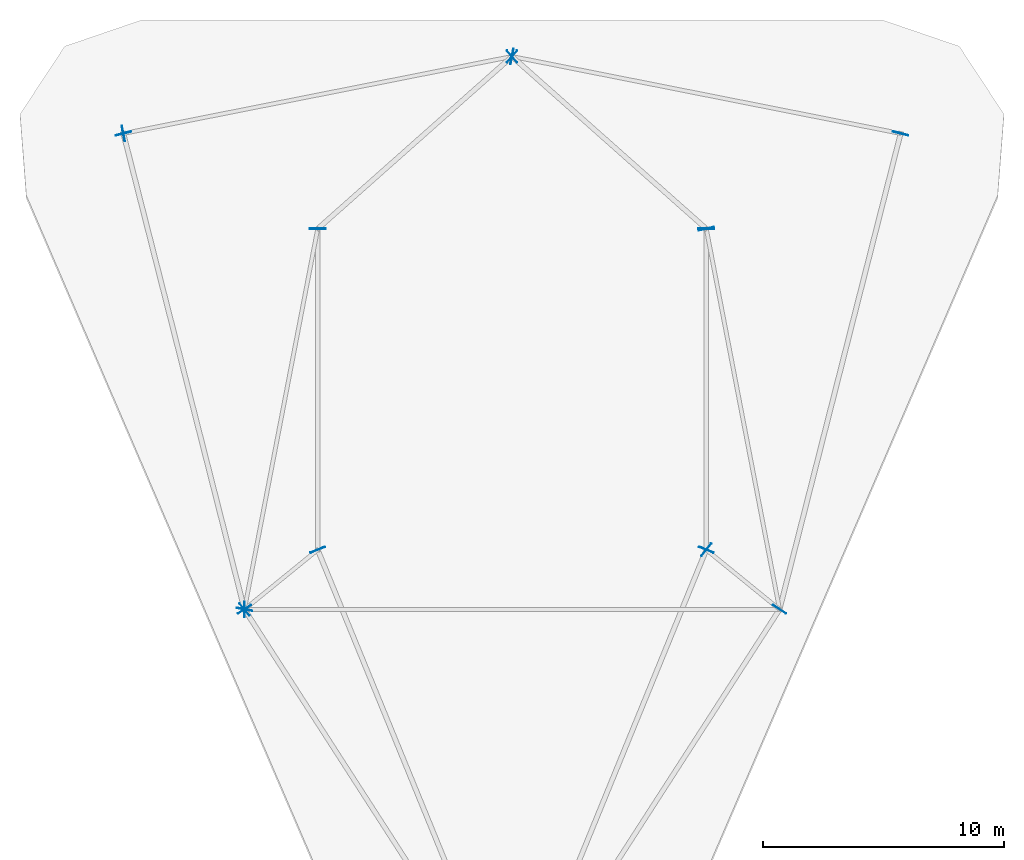
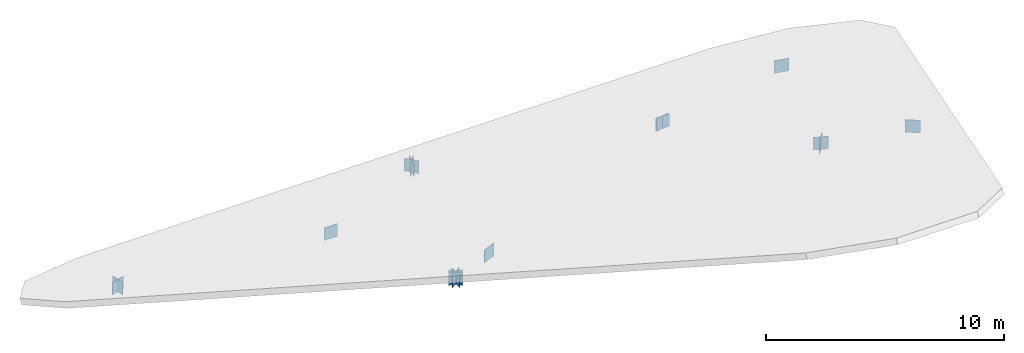
# One storey, part 2 of 2: 17 plates.
"""IFC4 building model written with IfcOpenShell, lengths in metres."""

import ifcopenshell
import ifcopenshell.guid

model = None  # the IFC model being written
_history = None  # IfcOwnerHistory: only IFC2X3 demands one
_inside = {}  # id of a spatial element -> (the spatial element, [elements in it])
_under = {}  # id of a project, library or spatial element -> (it, [spatial elements below it])
_declared = {}  # id of a project -> (the project, [libraries it declares])
_typed = {}  # id of a type object -> (the type object, [elements of that type])
_made_of = {}  # id of a material, layer set ... -> (it, [elements and type objects made of it])


def new_model(schema):
    """Start an empty IFC model of exactly this schema.

    Asked for "IFC4X3", IfcOpenShell would pick the latest addendum, in which some entities
    have other attributes; the version numbers below select the first issue.
    IFC2X3 requires an IfcOwnerHistory on every rooted entity: one is made here for all.
    """
    global model, _history
    if schema == "IFC4X3":
        model = ifcopenshell.file(schema_version=(4, 3, 0, 0))
    else:
        model = ifcopenshell.file(schema=schema)
    _inside.clear()
    _under.clear()
    _declared.clear()
    _typed.clear()
    _made_of.clear()
    _history = None
    if model.schema == "IFC2X3":
        org = make("IfcOrganization", Name="unknown")
        user = make(
            "IfcPersonAndOrganization",
            ThePerson=make("IfcPerson", FamilyName="unknown"),
            TheOrganization=org,
        )
        app = make(
            "IfcApplication",
            ApplicationDeveloper=org,
            Version="unknown",
            ApplicationFullName="unknown",
            ApplicationIdentifier="unknown",
        )
        _history = make(
            "IfcOwnerHistory",
            OwningUser=user,
            OwningApplication=app,
            ChangeAction="ADDED",
            CreationDate=0,
        )
    return model


def make(cls, **values):
    """One entity of the class cls with the attributes given. An attribute that is None is left unset."""
    return model.create_entity(
        cls, **{name: value for name, value in values.items() if value is not None}
    )


def rooted(cls, **values):
    """An entity with a GlobalId (a new one), such as an element, a storey or a relation."""
    return make(cls, GlobalId=ifcopenshell.guid.new(), OwnerHistory=_history, **values)


def si_unit(unit_type, name, prefix=None):
    """IfcSIUnit, for example si_unit("LENGTHUNIT", "METRE", prefix="MILLI")."""
    return make("IfcSIUnit", UnitType=unit_type, Prefix=prefix, Name=name)


def assignment(units):
    """IfcUnitAssignment: the units of a project."""
    return None if units is None else make("IfcUnitAssignment", Units=units)


def point(xyz):
    """IfcCartesianPoint."""
    return None if xyz is None else make("IfcCartesianPoint", Coordinates=xyz)


def direction(xyz):
    """IfcDirection."""
    return None if xyz is None else make("IfcDirection", DirectionRatios=xyz)


def frame(location, z_axis=None, x_axis=None):
    """IfcAxis2Placement3D, a coordinate frame: its origin and axes. An axis left out is left unset."""
    return make(
        "IfcAxis2Placement3D",
        Location=point(location),
        Axis=direction(z_axis),
        RefDirection=direction(x_axis),
    )


def frame_2d(location, x_axis=None):
    """IfcAxis2Placement2D, a coordinate frame in the plane: its origin and x axis."""
    return make(
        "IfcAxis2Placement2D", Location=point(location), RefDirection=direction(x_axis)
    )


def origin():
    """The frame at (0, 0, 0) with its axes left unset."""
    return frame((0.0, 0.0, 0.0))


def origin_2d():
    """The frame at (0, 0) in the plane with its x axis left unset."""
    return frame_2d((0.0, 0.0))


def place(relative_to, where):
    """IfcLocalPlacement: puts the frame where relative to a parent placement (None: the world)."""
    return make(
        "IfcLocalPlacement", PlacementRelTo=relative_to, RelativePlacement=where
    )


def context(
    kind, dimensions, precision=None, world=None, true_north=None, identifier=None
):
    """IfcGeometricRepresentationContext, for example the 3D "Model" context."""
    return make(
        "IfcGeometricRepresentationContext",
        ContextIdentifier=identifier,
        ContextType=kind,
        CoordinateSpaceDimension=dimensions,
        Precision=precision,
        WorldCoordinateSystem=world,
        TrueNorth=true_north,
    )


def subcontext(parent, identifier, kind, view, scale=None):
    """IfcGeometricRepresentationSubContext, for example "Body" below "Model"."""
    return make(
        "IfcGeometricRepresentationSubContext",
        ContextIdentifier=identifier,
        ContextType=kind,
        ParentContext=parent,
        TargetScale=scale,
        TargetView=view,
    )


def project(units=None, contexts=None):
    """IfcProject with its units and contexts."""
    return rooted(
        "IfcProject",
        Name="project",
        RepresentationContexts=contexts,
        UnitsInContext=assignment(units),
    )


def spatial(cls, under=None, at=None, **own):
    """A site, building, storey or space (cls), placed at a placement, below another one or the project."""
    s = rooted(cls, ObjectPlacement=at, **own)
    if under is not None:
        _under.setdefault(under.id(), (under, []))[1].append(s)
    return s


def profile(cls, at=None, kind="AREA", **sizes):
    """A parametric profile (cls). Its sizes go by their IFC names, for example OverallWidth=200.0."""
    return make(cls, ProfileType=kind, Position=at, **sizes)


def rectangle(**sizes):
    """IfcRectangleProfileDef."""
    return profile("IfcRectangleProfileDef", **sizes)


def extrude(swept, where, along, depth):
    """IfcExtrudedAreaSolid: the profile swept, set in the frame where, extruded along a direction by depth."""
    return make(
        "IfcExtrudedAreaSolid",
        SweptArea=swept,
        Position=where,
        ExtrudedDirection=direction(along),
        Depth=depth,
    )


def shape(context_of_items, identifier, shape_type, items):
    """IfcShapeRepresentation: the items that make up one representation, for example the "Body"."""
    return make(
        "IfcShapeRepresentation",
        ContextOfItems=context_of_items,
        RepresentationIdentifier=identifier,
        RepresentationType=shape_type,
        Items=items,
    )


def material(Name=None, Category=None):
    """IfcMaterial."""
    return make("IfcMaterial", Name=Name, Category=Category)


def layer(
    of_material, thickness, ventilated=None, Name=None, Category=None, Priority=None
):
    """IfcMaterialLayer: one layer of a wall or slab, of a material (None: an air gap)."""
    return make(
        "IfcMaterialLayer",
        Material=of_material,
        LayerThickness=thickness,
        IsVentilated=ventilated,
        Name=Name,
        Category=Category,
        Priority=Priority,
    )


def layer_set(layers, Name=None):
    """IfcMaterialLayerSet."""
    return make("IfcMaterialLayerSet", MaterialLayers=layers, LayerSetName=Name)


def made_of(thing, what):
    """Note that an element or type object is made of a material, layer set ...; save() writes the relation."""
    if what is not None:
        _made_of.setdefault(what.id(), (what, []))[1].append(thing)
    return thing


def type_object(cls, material=None, **own):
    """A type object (cls), such as IfcWallType, which elements share."""
    return made_of(rooted(cls, **own), material)


def element(
    cls,
    number,
    at=None,
    inside=None,
    cuts=None,
    type_object=None,
    material=None,
    context=None,
    identifier="Body",
    shape_type=None,
    held_by="IfcProductDefinitionShape",
    body=None,
    shapes=None,
    **own,
):
    """One element of the class cls, such as IfcWall. Its Tag is "e" and its number.

    at: its placement. inside: the storey or other place that contains it. cuts: it is an
    opening in that element (IfcRelVoidsElement). A single representation is given by context,
    identifier, shape_type and body (its items); several are given by shapes. held_by: the class
    of the entity that holds the representations. save() writes the other relations.
    """
    e = rooted(cls, Tag="e%d" % number, ObjectPlacement=at, **own)
    if body is not None:
        shapes = [shape(context, identifier, shape_type, body)]
    if shapes is not None:
        e.Representation = make(held_by, Representations=shapes)
    if inside is not None:
        _inside.setdefault(inside.id(), (inside, []))[1].append(e)
    if cuts is not None:
        rooted(
            "IfcRelVoidsElement", RelatingBuildingElement=cuts, RelatedOpeningElement=e
        )
    if type_object is not None:
        _typed.setdefault(type_object.id(), (type_object, []))[1].append(e)
    return made_of(e, material)


def aggregate(whole, parts):
    """IfcRelAggregates: a whole, such as a stair, and the parts it consists of."""
    return rooted("IfcRelAggregates", RelatingObject=whole, RelatedObjects=parts)


def save(model, path):
    """Write the relations noted so far, then the file.

    IfcRelAggregates (storeys below a building ...), IfcRelContainedInSpatialStructure (elements
    in a storey), IfcRelDefinesByType, IfcRelAssociatesMaterial and IfcRelDeclares: one each for
    every whole, place, type object, material and project.
    """
    for whole, parts in _under.values():
        aggregate(whole, parts)
    for where, things in _inside.values():
        rooted(
            "IfcRelContainedInSpatialStructure",
            RelatedElements=things,
            RelatingStructure=where,
        )
    for kind, things in _typed.values():
        rooted("IfcRelDefinesByType", RelatedObjects=things, RelatingType=kind)
    for what, things in _made_of.values():
        rooted("IfcRelAssociatesMaterial", RelatedObjects=things, RelatingMaterial=what)
    for by, libraries in _declared.values():
        rooted("IfcRelDeclares", RelatingContext=by, RelatedDefinitions=libraries)
    model.write(path)


model = new_model("IFC4")

# Units and contexts
model_context = context("Model", 3, precision=1e-05, world=origin(), true_north=direction((0.0, 1.0)))
body_context = subcontext(model_context, "Body", "Model", "MODEL_VIEW")
ifc_project = project(units=[si_unit("LENGTHUNIT", "METRE"), si_unit("AREAUNIT", "SQUARE_METRE"), si_unit("VOLUMEUNIT", "CUBIC_METRE"), si_unit("PLANEANGLEUNIT", "RADIAN"), si_unit("MASSUNIT", "GRAM", prefix="KILO")], contexts=[model_context])

# Site, building, storey
site_placement = place(None, origin())
site = spatial("IfcSite", under=ifc_project, at=site_placement, CompositionType="ELEMENT")
building_placement = place(site_placement, origin())
building = spatial("IfcBuilding", under=site, at=building_placement, Name="Talyreon Biosciences Tower", CompositionType="ELEMENT")
storey_placement = place(building_placement, frame((0.0, 0.0, 346.5)))
storey = spatial("IfcBuildingStorey", under=building, at=storey_placement, Name="RF", CompositionType="ELEMENT", Elevation=346.5)

# Plates
ifc_material = material(Name="Steel SM355", Category="steel")
ifc_layer = layer(ifc_material, 0.028076171875)
ifc_layer_set = layer_set([ifc_layer], Name="Steel SM355")
plate_type = type_object("IfcPlateType", Name="HollowEndCapPlate_28", PredefinedType="SHEET", material=ifc_layer_set)
for number, where, z_axis, x_axis, name in (
    (1, (66.0, 81.788818359375, -24.06982421875), (0.0, 0.0, 1.0), (0.663495401773, -0.748180360492, 0.0), "Truss node plate NP-RF-R01"),
    (2, (66.0, 81.788818359375, -24.06982421875), (0.0, 0.0, 1.0), (0.663495401773, 0.748180360492, 0.0), "Truss node plate NP-RF-R02"),
    (3, (57.949951171875, 74.64990234375, -20.316162109375), (0.0, 0.0, 1.0), (1.0, 0.0, 0.0), "Truss node plate NP-RF-R03"),
    (4, (74.050048828125, 74.64990234375, -20.316162109375), (0.0, 0.0, 1.0), (1.0, 0.0, 0.0), "Truss node plate NP-RF-R04"),
    (5, (57.949951171875, 61.35009765625, -13.3232421875), (0.0, 0.0, 1.0), (0.925580150933, 0.378551692902, 0.0), "Truss node plate NP-RF-R05"),
    (6, (74.050048828125, 61.35009765625, -13.3232421875), (0.0, 0.0, 1.0), (0.925580150933, -0.378551692902, 0.0), "Truss node plate NP-RF-R06"),
    (7, (49.897705078125, 78.5986328125, -22.632568359375), (0.0, 0.0, 1.0), (0.969132019352, 0.246542347409, 0.0), "Truss node plate NP-RF-R07"),
    (8, (82.102294921875, 78.5986328125, -22.632568359375), (0.0, 0.0, 1.0), (0.969132019352, -0.246542347409, 0.0), "Truss node plate NP-RF-R08"),
    (9, (54.913818359375, 58.88037109375, -12.024658203125), (0.0, 0.0, 1.0), (0.840727294555, 0.54145878531, 0.0), "Truss node plate NP-RF-R09"),
    (10, (77.086181640625, 58.88037109375, -12.024658203125), (0.0, 0.0, 1.0), (0.840727294555, -0.54145878531, 0.0), "Truss node plate NP-RF-R10"),
    (11, (49.897705078125, 78.5986328125, -22.632568359375), (0.0, 0.0, 1.0), (-0.194337075538, 0.980934809797, 0.0), "Truss node plate NP-RF-P01"),
    (12, (66.0, 81.788818359375, -24.06982421875), (0.0, 0.0, 1.0), (0.194337075538, 0.980934809797, 0.0), "Truss node plate NP-RF-P02"),
    (13, (54.913818359375, 58.88037109375, -12.024658203125), (0.0, 0.0, 1.0), (-0.981965312774, 0.189061166049, 0.0), "Truss node plate NP-RF-P03"),
    (14, (54.913818359375, 58.88037109375, -12.024658203125), (0.0, 0.0, 1.0), (-0.631000821652, 0.775782162127, 0.0), "Truss node plate NP-RF-P04"),
    (15, (74.050048828125, 74.64990234375, -20.316162109375), (0.0, 0.0, 1.0), (0.981965312774, 0.189061166049, 0.0), "Truss node plate NP-RF-P05"),
    (16, (74.050048828125, 61.35009765625, -13.3232421875), (0.0, 0.0, 1.0), (0.631000821652, 0.775782162127, 0.0), "Truss node plate NP-RF-P06"),
    (17, (54.913818359375, 58.88037109375, -12.024658203125), (0.0, 0.0, 1.0), (0.0, 1.0, 0.0), "Truss node plate NP-RF-P07"),
):
    element("IfcPlate", number, at=place(storey_placement, frame(where, z_axis=z_axis, x_axis=x_axis)), inside=storey, type_object=plate_type, Name=name, PredefinedType="SHEET", context=body_context, shape_type="SweptSolid", body=[
        extrude(rectangle(XDim=0.64990234375, YDim=0.028076171875, at=origin_2d()), origin(), (0.0, 0.0, 1.0), 0.64990234375),
    ])

save(model, "model.ifc")
